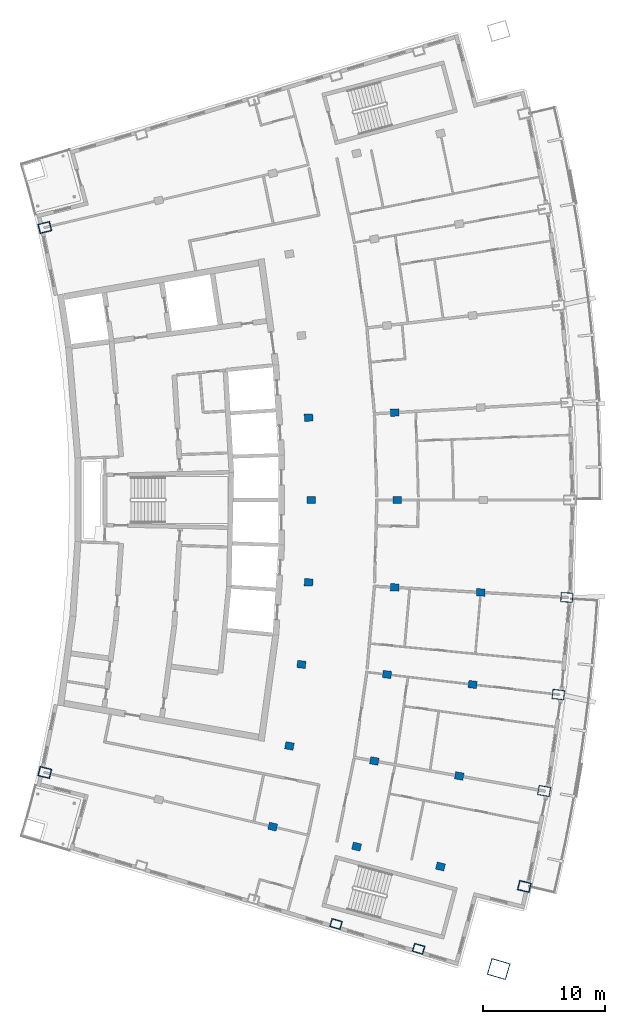
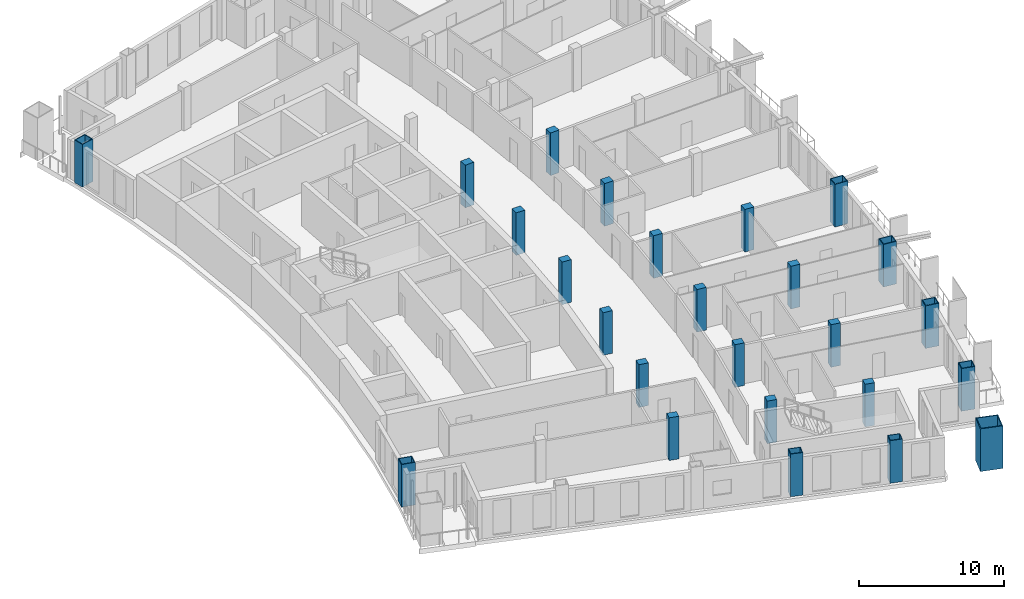
# One storey, part 2 of 15: 25 columns.
"""IFC4 building model written with IfcOpenShell, lengths in metres."""

from ifc_helpers import new_model, si_unit, direction, frame, origin, origin_2d, place, context, subcontext, project, spatial, rectangle, hollow_rectangle, extrude, material, material_profile, profile_set, type_object, element, save


model = new_model("IFC4")

# Units and contexts
model_context = context("Model", 3, precision=1e-05, world=origin(), true_north=direction((0.0, 1.0)))
body_context = subcontext(model_context, "Body", "Model", "MODEL_VIEW")
ifc_project = project(units=[si_unit("LENGTHUNIT", "METRE"), si_unit("AREAUNIT", "SQUARE_METRE"), si_unit("VOLUMEUNIT", "CUBIC_METRE"), si_unit("PLANEANGLEUNIT", "RADIAN"), si_unit("MASSUNIT", "GRAM", prefix="KILO")], contexts=[model_context])

# Site, building, storey
site_placement = place(None, origin())
site = spatial("IfcSite", under=ifc_project, at=site_placement, CompositionType="ELEMENT")
building_placement = place(site_placement, origin())
building = spatial("IfcBuilding", under=site, at=building_placement, Name="Alderwake Tower", CompositionType="ELEMENT")
storey_placement = place(building_placement, frame((0.0, 0.0, 249.199951171875)))
storey = spatial("IfcBuildingStorey", under=building, at=storey_placement, Name="L61", CompositionType="ELEMENT", Elevation=249.199951171875)

# Columns
ifc_material_1 = material(Name="Steel ASTM A572 Grade 50 concrete filled C70/85", Category="concrete")
ifc_material_profile_1 = material_profile(ifc_material_1, hollow_rectangle(XDim=0.699951171875, YDim=0.89990234375, WallThickness=0.050048828125, at=origin_2d()), Name="BOX 900X700X50")
ifc_profile_set_1 = profile_set([ifc_material_profile_1], Name="Steel ASTM A572 Grade 50 concrete filled C70/85")
column_type_1 = type_object("IfcColumnType", Name="End column Z5", PredefinedType="COLUMN", material=ifc_profile_set_1)
for number, where, z_axis, x_axis, name in (
    (1, (37.8486328125, 26.244873046875, 0.0), (0.0, 0.0, 1.0), (0.28286882455, 0.959158604245, 0.0), "Column R02-C3"),
    (2, (44.616943359375, 24.212890625, 0.0), (0.0, 0.0, 1.0), (0.283123269824, 0.95908352821, 0.0), "Column R02-C4"),
):
    element("IfcColumn", number, at=place(storey_placement, frame(where, z_axis=z_axis, x_axis=x_axis)), inside=storey, type_object=column_type_1, Name=name, PredefinedType="COLUMN", context=body_context, shape_type="SweptSolid", body=[
        extrude(hollow_rectangle(XDim=0.699951171875, YDim=0.89990234375, WallThickness=0.050048828125, at=origin_2d()), origin(), (0.0, 0.0, 1.0), 3.60009765625),
    ])
ifc_material_2 = material(Name="Concrete C70/85", Category="concrete")
ifc_material_profile_2 = material_profile(ifc_material_2, rectangle(XDim=0.60009765625, YDim=0.699951171875, at=origin_2d()), Name="RC 700X600")
ifc_profile_set_2 = profile_set([ifc_material_profile_2], Name="Concrete C70/85")
column_type_2 = type_object("IfcColumnType", Name="Interior column Z5", PredefinedType="COLUMN", material=ifc_profile_set_2)
for number, where, z_axis, x_axis, name in (
    (3, (32.661865234375, 34.224609375, 0.0), (0.0, 0.0, 1.0), (0.231221547198, 0.972901123502, 0.0), "Column R03-C2"),
    (4, (39.537109375, 32.590576171875, 0.0), (0.0, 0.0, 1.0), (0.231221547198, 0.972901123502, 0.0), "Column R03-C3"),
    (5, (46.412109375, 30.95654296875, 0.0), (0.0, 0.0, 1.0), (0.231221547198, 0.972901123502, 0.0), "Column R03-C4"),
    (6, (34.03125, 40.83837890625, 0.0), (0.0, 0.0, 1.0), (0.174108800747, 0.984726421654, 0.0), "Column R04-C2"),
    (7, (40.989990234375, 39.60791015625, 0.0), (0.0, 0.0, 1.0), (0.174108800747, 0.984726421654, 0.0), "Column R04-C3"),
    (8, (47.94873046875, 38.377685546875, 0.0), (0.0, 0.0, 1.0), (0.174107082075, 0.984726725529, 0.0), "Column R04-C4"),
    (9, (35.0126953125, 47.5205078125, 0.0), (0.0, 0.0, 1.0), (0.116402054316, 0.993202175668, 0.0), "Column R05-C2"),
    (10, (42.031494140625, 46.697998046875, 0.0), (0.0, 0.0, 1.0), (0.116402054316, 0.993202175668, 0.0), "Column R05-C3"),
    (11, (49.050048828125, 45.87548828125, 0.0), (0.0, 0.0, 1.0), (0.116402054316, 0.993202175668, 0.0), "Column R05-C4"),
    (12, (35.60302734375, 54.248779296875, 0.0), (0.0, 0.0, 1.0), (0.058301061284, 0.998299046505, 0.0), "Column R06-C2"),
    (13, (42.65771484375, 53.8369140625, 0.0), (0.0, 0.0, 1.0), (0.058301061284, 0.998299046505, 0.0), "Column R06-C3"),
    (14, (49.71240234375, 53.4248046875, 0.0), (0.0, 0.0, 1.0), (0.058299318924, 0.998299148258, 0.0), "Column R06-C4"),
    (15, (35.800048828125, 61.0, 0.0), (0.0, 0.0, 1.0), (0.0, 1.0, 0.0), "Column R07-C2"),
    (16, (42.86669921875, 61.0, 0.0), (0.0, 0.0, 1.0), (0.0, 1.0, 0.0), "Column R07-C3"),
    (17, (35.60302734375, 67.751220703125, 0.0), (0.0, 0.0, 1.0), (-0.058301061284, 0.998299046505, 0.0), "Column R08-C2"),
    (18, (42.65771484375, 68.1630859375, 0.0), (0.0, 0.0, 1.0), (-0.058301061284, 0.998299046505, 0.0), "Column R08-C3"),
):
    element("IfcColumn", number, at=place(storey_placement, frame(where, z_axis=z_axis, x_axis=x_axis)), inside=storey, type_object=column_type_2, Name=name, PredefinedType="COLUMN", context=body_context, shape_type="SweptSolid", body=[
        extrude(rectangle(XDim=0.60009765625, YDim=0.699951171875, at=origin_2d()), origin(), (0.0, 0.0, 1.0), 3.60009765625),
    ])
ifc_material_3 = material(Name="Steel ASTM A572 Grade 50 concrete filled C70/85", Category="concrete")
ifc_material_profile_3 = material_profile(ifc_material_3, hollow_rectangle(XDim=1.39990234375, YDim=1.60009765625, WallThickness=0.070068359375, at=origin_2d()), Name="BOX 1600X1400X70")
ifc_profile_set_3 = profile_set([ifc_material_profile_3], Name="Steel ASTM A572 Grade 50 concrete filled C70/85")
column_type_3 = type_object("IfcColumnType", Name="Mega column Z5", PredefinedType="COLUMN", material=ifc_profile_set_3)
column_placement = place(storey_placement, frame((51.181884765625, 22.552978515625, 0.0), z_axis=(0.0, 0.0, 1.0), x_axis=(0.281251293329, 0.959634154249, 0.0)))
element("IfcColumn", 19, at=column_placement, inside=storey, type_object=column_type_3, Name="Column R02-C5", PredefinedType="COLUMN", context=body_context, shape_type="SweptSolid", body=[
    extrude(hollow_rectangle(XDim=1.39990234375, YDim=1.60009765625, WallThickness=0.070068359375, at=origin_2d()), origin(), (0.0, 0.0, 1.0), 3.60009765625),
])
ifc_material_4 = material(Name="Steel ASTM A572 Grade 50 concrete filled C70/85", Category="concrete")
ifc_material_profile_4 = material_profile(ifc_material_4, hollow_rectangle(XDim=0.800048828125, YDim=1.0, WallThickness=0.054931640625, at=origin_2d()), Name="BOX 1000X800X55")
ifc_profile_set_4 = profile_set([ifc_material_profile_4], Name="Steel ASTM A572 Grade 50 concrete filled C70/85")
column_type_4 = type_object("IfcColumnType", Name="Perimeter column Z5", PredefinedType="COLUMN", material=ifc_profile_set_4)
for number, where, z_axis, x_axis, name in (
    (20, (13.982177734375, 38.6640625, 0.0), (0.0, 0.0, 1.0), (0.231221547198, 0.972901123502, 0.0), "Column R03-C0"),
    (21, (53.287353515625, 29.322509765625, 0.0), (0.0, 0.0, 1.0), (0.231221547198, 0.972901123502, 0.0), "Column R03-C5"),
    (22, (54.907470703125, 37.147216796875, 0.0), (0.0, 0.0, 1.0), (0.174108800747, 0.984726421654, 0.0), "Column R04-C5"),
    (23, (56.068603515625, 45.052978515625, 0.0), (0.0, 0.0, 1.0), (0.116402054316, 0.993202175668, 0.0), "Column R05-C5"),
    (24, (56.76708984375, 53.012939453125, 0.0), (0.0, 0.0, 1.0), (0.058299318924, 0.998299148258, 0.0), "Column R06-C5"),
    (25, (13.982177734375, 83.3359375, 0.0), (0.0, 0.0, 1.0), (-0.231221547198, 0.972901123502, 0.0), "Column R11-C0"),
):
    element("IfcColumn", number, at=place(storey_placement, frame(where, z_axis=z_axis, x_axis=x_axis)), inside=storey, type_object=column_type_4, Name=name, PredefinedType="COLUMN", context=body_context, shape_type="SweptSolid", body=[
        extrude(hollow_rectangle(XDim=0.800048828125, YDim=1.0, WallThickness=0.054931640625, at=origin_2d()), origin(), (0.0, 0.0, 1.0), 3.60009765625),
    ])

save(model, "model.ifc")
